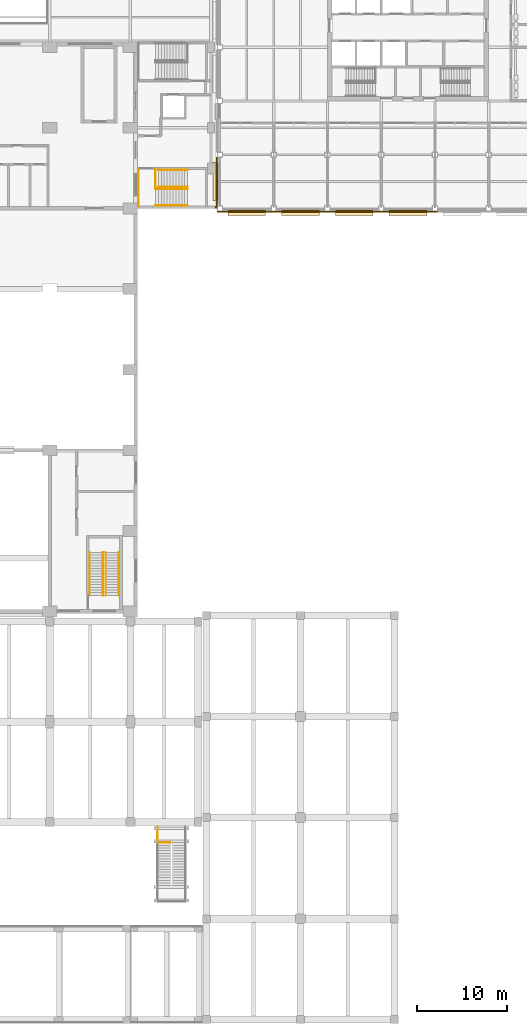
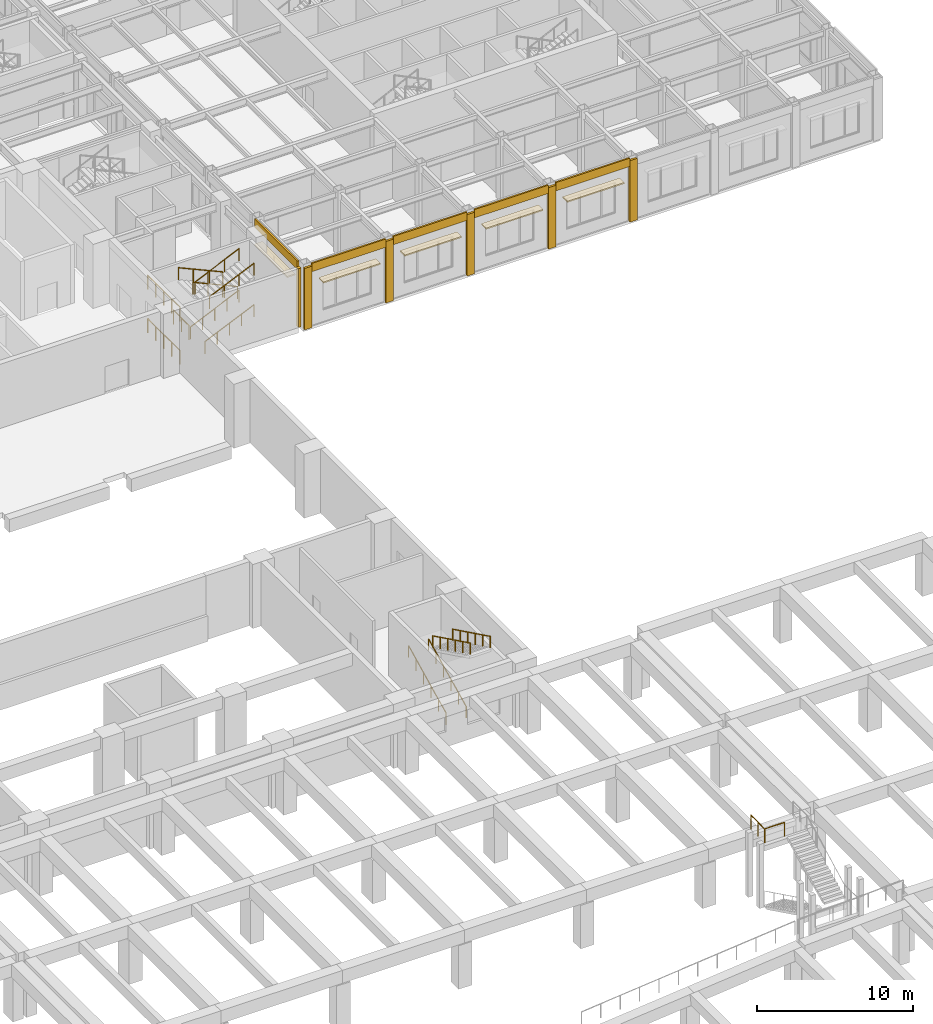
# One storey, part 71 of 76: 16 coverings, 14 railings.
"""IFC4 building model written with IfcOpenShell, lengths in metres."""

from ifc_helpers import new_model, si_unit, direction, frame, origin, origin_2d, place, context, subcontext, project, spatial, polyline, circle, outline, extrude, material, layer, layer_set, type_object, element, save


model = new_model("IFC4")

# Units and contexts
model_context = context("Model", 3, precision=1e-05, world=origin(), true_north=direction((0.0, 1.0)))
body_context = subcontext(model_context, "Body", "Model", "MODEL_VIEW")
ifc_project = project(units=[si_unit("LENGTHUNIT", "METRE"), si_unit("AREAUNIT", "SQUARE_METRE"), si_unit("VOLUMEUNIT", "CUBIC_METRE"), si_unit("PLANEANGLEUNIT", "RADIAN"), si_unit("MASSUNIT", "GRAM", prefix="KILO")], contexts=[model_context])

# Site, building, storey
site_placement = place(None, origin())
site = spatial("IfcSite", under=ifc_project, at=site_placement, CompositionType="ELEMENT")
building_placement = place(site_placement, origin())
building = spatial("IfcBuilding", under=site, at=building_placement, Name="Aravalli Gate Trade Fair Centre", CompositionType="ELEMENT")
storey_placement = place(building_placement, frame((0.0, 0.0, 10.0)))
storey = spatial("IfcBuildingStorey", under=building, at=storey_placement, Name="L02", CompositionType="ELEMENT", Elevation=10.0)

# Railings
ifc_material_1 = material(Name="Steel E350", Category="steel")
railing_type_1 = type_object("IfcRailingType", Name="Congress stair handrail 900", PredefinedType="HANDRAIL", material=ifc_material_1)
for number, where, name in (
    (1, (145.469970703125, 47.800048828125, 0.147216796875), "Handrail GS2 L02 1"),
    (2, (146.949951171875, 47.800048828125, 0.147216796875), "Handrail GS2 L02 2"),
):
    element("IfcRailing", number, at=place(storey_placement, frame(where)), inside=storey, type_object=railing_type_1, Name=name, PredefinedType="HANDRAIL", context=body_context, shape_type="SweptSolid", body=[
        extrude(circle(Radius=0.02392578125, at=origin_2d()), frame((0.0, 0.0, 0.8759765625), z_axis=(0.0, 0.89793417156, 0.440129780343), x_axis=(-1.0, 0.0, 0.0)), (0.0, 0.0, 1.0), 5.345703125),
        extrude(circle(Radius=0.02099609375, at=origin_2d()), origin(), (0.0, 0.0, 1.0), 0.851806640625),
        extrude(circle(Radius=0.02099609375, at=origin_2d()), frame((0.0, 0.9599609375, 0.470458984375)), (0.0, 0.0, 1.0), 0.851806640625),
        extrude(circle(Radius=0.02099609375, at=origin_2d()), frame((0.0, 1.919921875, 0.941162109375)), (0.0, 0.0, 1.0), 0.851806640625),
        extrude(circle(Radius=0.02099609375, at=origin_2d()), frame((0.0, 2.880126953125, 1.41162109375)), (0.0, 0.0, 1.0), 0.851806640625),
        extrude(circle(Radius=0.02099609375, at=origin_2d()), frame((0.0, 3.840087890625, 1.88232421875)), (0.0, 0.0, 1.0), 0.851806640625),
        extrude(circle(Radius=0.02099609375, at=origin_2d()), frame((0.0, 4.800048828125, 2.352783203125)), (0.0, 0.0, 1.0), 0.851806640625),
    ])
for number, where, name in (
    (3, (148.72998046875, 52.60009765625, 2.647216796875), "Handrail GS2 L02 3"),
    (4, (147.25, 52.60009765625, 2.647216796875), "Handrail GS2 L02 4"),
):
    element("IfcRailing", number, at=place(storey_placement, frame(where)), inside=storey, type_object=railing_type_1, Name=name, PredefinedType="HANDRAIL", context=body_context, shape_type="SweptSolid", body=[
        extrude(circle(Radius=0.02392578125, at=origin_2d()), frame((0.0, 0.0, 0.8759765625), z_axis=(0.0, -0.89793417156, 0.440129780343), x_axis=(1.0, 0.0, 0.0)), (0.0, 0.0, 1.0), 5.345703125),
        extrude(circle(Radius=0.02099609375, at=origin_2d()), origin(), (0.0, 0.0, 1.0), 0.851806640625),
        extrude(circle(Radius=0.02099609375, at=origin_2d()), frame((0.0, -0.9599609375, 0.470458984375)), (0.0, 0.0, 1.0), 0.851806640625),
        extrude(circle(Radius=0.02099609375, at=origin_2d()), frame((0.0, -1.919921875, 0.941162109375)), (0.0, 0.0, 1.0), 0.851806640625),
        extrude(circle(Radius=0.02099609375, at=origin_2d()), frame((0.0, -2.880126953125, 1.41162109375)), (0.0, 0.0, 1.0), 0.851806640625),
        extrude(circle(Radius=0.02099609375, at=origin_2d()), frame((0.0, -3.840087890625, 1.88232421875)), (0.0, 0.0, 1.0), 0.851806640625),
        extrude(circle(Radius=0.02099609375, at=origin_2d()), frame((0.0, -4.800048828125, 2.352783203125)), (0.0, 0.0, 1.0), 0.851806640625),
    ])
railing_type_2 = type_object("IfcRailingType", Name="Edge guard 1100", PredefinedType="GUARDRAIL", material=ifc_material_1)
railing_1_placement = place(storey_placement, frame((154.5, 20.199951171875, 5.0)))
element("IfcRailing", 5, at=railing_1_placement, inside=storey, type_object=railing_type_2, Name="Stair guard 2 L02 B", PredefinedType="GUARDRAIL", context=body_context, shape_type="SweptSolid", body=[
    extrude(circle(Radius=0.02392578125, at=origin_2d()), frame((0.0, 0.0, 1.076171875), z_axis=(-1.0, 0.0, 0.0), x_axis=(0.0, -1.0, 0.0)), (0.0, 0.0, 1.0), 1.449951171875),
    extrude(circle(Radius=0.02392578125, at=origin_2d()), frame((-1.449951171875, 0.0, 1.076171875), z_axis=(0.0, 1.0, 0.0), x_axis=(-1.0, 0.0, 0.0)), (0.0, 0.0, 1.0), 1.75),
    extrude(circle(Radius=0.02099609375, at=origin_2d()), origin(), (0.0, 0.0, 1.0), 1.052001953125),
    extrude(circle(Radius=0.02099609375, at=origin_2d()), frame((-1.449951171875, 0.0, 0.0)), (0.0, 0.0, 1.0), 1.052001953125),
    extrude(circle(Radius=0.02099609375, at=origin_2d()), frame((-1.449951171875, 0.875, 0.0)), (0.0, 0.0, 1.0), 1.052001953125),
    extrude(circle(Radius=0.02099609375, at=origin_2d()), frame((-1.449951171875, 1.75, 0.0)), (0.0, 0.0, 1.0), 1.052001953125),
])

# Coverings
ifc_material_2 = material(Name="Stainless steel joint cover", Category="steel")
ifc_layer_1 = layer(ifc_material_2, 0.199951171875)
ifc_layer_set_1 = layer_set([ifc_layer_1], Name="Stainless steel joint cover")
covering_type_1 = type_object("IfcCoveringType", Name="Link seismic joint cover 200", PredefinedType="CLADDING", material=ifc_layer_set_1)
covering_1_placement = place(storey_placement, origin())
element("IfcCovering", 6, at=covering_1_placement, inside=storey, type_object=covering_type_1, Name="Seismic joint cover L02", PredefinedType="CLADDING", context=body_context, shape_type="SweptSolid", body=[
    extrude(outline(polyline([(159.5, 91.0), (159.699951171875, 91.0), (159.699951171875, 91.25), (159.5, 91.25), (159.5, 91.0)])), origin(), (0.0, 0.0, 1.0), 4.590087890625),
])
ifc_material_3 = material(Name="Terracotta", Category="masonry")
ifc_layer_2 = layer(ifc_material_3, 0.10009765625)
ifc_layer_set_2 = layer_set([ifc_layer_2], Name="Terracotta")
covering_type_2 = type_object("IfcCoveringType", Name="Wing chhajja hood 100", PredefinedType="MOLDING", material=ifc_layer_set_2)
covering_2_placement = place(storey_placement, frame((0.0, 0.0, 3.449951171875)))
element("IfcCovering", 7, at=covering_2_placement, inside=storey, type_object=covering_type_2, Name="Chhajja hood S0 L02", PredefinedType="MOLDING", context=body_context, shape_type="SweptSolid", body=[
    extrude(outline(polyline([(160.89990234375, 90.199951171875), (165.10009765625, 90.199951171875), (165.10009765625, 90.800048828125), (160.89990234375, 90.800048828125), (160.89990234375, 90.199951171875)])), origin(), (0.0, 0.0, 1.0), 0.10009765625),
])
covering_3_placement = place(storey_placement, frame((0.0, 0.0, 3.449951171875)))
element("IfcCovering", 8, at=covering_3_placement, inside=storey, type_object=covering_type_2, Name="Chhajja hood S1 L02", PredefinedType="MOLDING", context=body_context, shape_type="SweptSolid", body=[
    extrude(outline(polyline([(166.89990234375, 90.199951171875), (171.10009765625, 90.199951171875), (171.10009765625, 90.800048828125), (166.89990234375, 90.800048828125), (166.89990234375, 90.199951171875)])), origin(), (0.0, 0.0, 1.0), 0.10009765625),
])
covering_4_placement = place(storey_placement, frame((0.0, 0.0, 3.449951171875)))
element("IfcCovering", 9, at=covering_4_placement, inside=storey, type_object=covering_type_2, Name="Chhajja hood S2 L02", PredefinedType="MOLDING", context=body_context, shape_type="SweptSolid", body=[
    extrude(outline(polyline([(172.89990234375, 90.199951171875), (177.10009765625, 90.199951171875), (177.10009765625, 90.800048828125), (172.89990234375, 90.800048828125), (172.89990234375, 90.199951171875)])), origin(), (0.0, 0.0, 1.0), 0.10009765625),
])
covering_5_placement = place(storey_placement, frame((0.0, 0.0, 3.449951171875)))
element("IfcCovering", 10, at=covering_5_placement, inside=storey, type_object=covering_type_2, Name="Chhajja hood S3 L02", PredefinedType="MOLDING", context=body_context, shape_type="SweptSolid", body=[
    extrude(outline(polyline([(178.89990234375, 90.199951171875), (183.10009765625, 90.199951171875), (183.10009765625, 90.800048828125), (178.89990234375, 90.800048828125), (178.89990234375, 90.199951171875)])), origin(), (0.0, 0.0, 1.0), 0.10009765625),
])
covering_6_placement = place(storey_placement, frame((0.0, 0.0, 3.449951171875)))
element("IfcCovering", 11, at=covering_6_placement, inside=storey, type_object=covering_type_2, Name="Chhajja hood W0 L02", PredefinedType="MOLDING", context=body_context, shape_type="SweptSolid", body=[
    extrude(outline(polyline([(159.199951171875, 91.89990234375), (159.800048828125, 91.89990234375), (159.800048828125, 96.10009765625), (159.199951171875, 96.10009765625), (159.199951171875, 91.89990234375)])), origin(), (0.0, 0.0, 1.0), 0.10009765625),
])
ifc_material_4 = material(Name="Terracotta lattice", Category="masonry")
ifc_layer_3 = layer(ifc_material_4, 0.1201171875)
ifc_layer_set_3 = layer_set([ifc_layer_3], Name="Terracotta lattice")
covering_type_3 = type_object("IfcCoveringType", Name="Wing jali spandrel panel 120", PredefinedType="CLADDING", material=ifc_layer_set_3)
covering_7_placement = place(storey_placement, frame((0.0, 0.0, 4.35009765625)))
element("IfcCovering", 12, at=covering_7_placement, inside=storey, type_object=covering_type_3, Name="Jali spandrel panel S0 L02", PredefinedType="CLADDING", context=body_context, shape_type="SweptSolid", body=[
    extrude(outline(polyline([(160.27490234375, 90.574951171875), (165.72509765625, 90.574951171875), (165.72509765625, 90.695068359375), (160.27490234375, 90.695068359375), (160.27490234375, 90.574951171875)])), origin(), (0.0, 0.0, 1.0), 0.64990234375),
])
covering_8_placement = place(storey_placement, frame((0.0, 0.0, 4.35009765625)))
element("IfcCovering", 13, at=covering_8_placement, inside=storey, type_object=covering_type_3, Name="Jali spandrel panel S1 L02", PredefinedType="CLADDING", context=body_context, shape_type="SweptSolid", body=[
    extrude(outline(polyline([(166.27490234375, 90.574951171875), (171.72509765625, 90.574951171875), (171.72509765625, 90.695068359375), (166.27490234375, 90.695068359375), (166.27490234375, 90.574951171875)])), origin(), (0.0, 0.0, 1.0), 0.64990234375),
])
covering_9_placement = place(storey_placement, frame((0.0, 0.0, 4.35009765625)))
element("IfcCovering", 14, at=covering_9_placement, inside=storey, type_object=covering_type_3, Name="Jali spandrel panel S2 L02", PredefinedType="CLADDING", context=body_context, shape_type="SweptSolid", body=[
    extrude(outline(polyline([(172.27490234375, 90.574951171875), (177.72509765625, 90.574951171875), (177.72509765625, 90.695068359375), (172.27490234375, 90.695068359375), (172.27490234375, 90.574951171875)])), origin(), (0.0, 0.0, 1.0), 0.64990234375),
])
covering_10_placement = place(storey_placement, frame((0.0, 0.0, 4.35009765625)))
element("IfcCovering", 15, at=covering_10_placement, inside=storey, type_object=covering_type_3, Name="Jali spandrel panel S3 L02", PredefinedType="CLADDING", context=body_context, shape_type="SweptSolid", body=[
    extrude(outline(polyline([(178.27490234375, 90.574951171875), (183.72509765625, 90.574951171875), (183.72509765625, 90.695068359375), (178.27490234375, 90.695068359375), (178.27490234375, 90.574951171875)])), origin(), (0.0, 0.0, 1.0), 0.64990234375),
])
ifc_material_5 = material(Name="Glazed terracotta", Category="masonry")
ifc_layer_4 = layer(ifc_material_5, 0.14990234375)
ifc_layer_set_4 = layer_set([ifc_layer_4], Name="Glazed terracotta")
covering_type_4 = type_object("IfcCoveringType", Name="Wing pier casing 150", PredefinedType="CLADDING", material=ifc_layer_set_4)
covering_11_placement = place(storey_placement, origin())
element("IfcCovering", 16, at=covering_11_placement, inside=storey, type_object=covering_type_4, Name="Pier casing 18F S L02", PredefinedType="CLADDING", context=body_context, shape_type="SweptSolid", body=[
    extrude(outline(polyline([(159.72509765625, 90.574951171875), (160.27490234375, 90.574951171875), (160.27490234375, 90.72509765625), (159.72509765625, 90.72509765625), (159.72509765625, 90.574951171875)])), origin(), (0.0, 0.0, 1.0), 4.800048828125),
])
covering_12_placement = place(storey_placement, origin())
element("IfcCovering", 17, at=covering_12_placement, inside=storey, type_object=covering_type_4, Name="Pier casing 19F S L02", PredefinedType="CLADDING", context=body_context, shape_type="SweptSolid", body=[
    extrude(outline(polyline([(165.72509765625, 90.574951171875), (166.27490234375, 90.574951171875), (166.27490234375, 90.72509765625), (165.72509765625, 90.72509765625), (165.72509765625, 90.574951171875)])), origin(), (0.0, 0.0, 1.0), 4.800048828125),
])
covering_13_placement = place(storey_placement, origin())
element("IfcCovering", 18, at=covering_13_placement, inside=storey, type_object=covering_type_4, Name="Pier casing 20F S L02", PredefinedType="CLADDING", context=body_context, shape_type="SweptSolid", body=[
    extrude(outline(polyline([(171.72509765625, 90.574951171875), (172.27490234375, 90.574951171875), (172.27490234375, 90.72509765625), (171.72509765625, 90.72509765625), (171.72509765625, 90.574951171875)])), origin(), (0.0, 0.0, 1.0), 4.800048828125),
])
covering_14_placement = place(storey_placement, origin())
element("IfcCovering", 19, at=covering_14_placement, inside=storey, type_object=covering_type_4, Name="Pier casing 21F S L02", PredefinedType="CLADDING", context=body_context, shape_type="SweptSolid", body=[
    extrude(outline(polyline([(177.72509765625, 90.574951171875), (178.27490234375, 90.574951171875), (178.27490234375, 90.72509765625), (177.72509765625, 90.72509765625), (177.72509765625, 90.574951171875)])), origin(), (0.0, 0.0, 1.0), 4.800048828125),
])
covering_15_placement = place(storey_placement, origin())
element("IfcCovering", 20, at=covering_15_placement, inside=storey, type_object=covering_type_4, Name="Pier casing 22F S L02", PredefinedType="CLADDING", context=body_context, shape_type="SweptSolid", body=[
    extrude(outline(polyline([(183.72509765625, 90.574951171875), (184.27490234375, 90.574951171875), (184.27490234375, 90.72509765625), (183.72509765625, 90.72509765625), (183.72509765625, 90.574951171875)])), origin(), (0.0, 0.0, 1.0), 4.800048828125),
])
ifc_layer_5 = layer(ifc_material_5, 0.1201171875)
ifc_layer_set_5 = layer_set([ifc_layer_5], Name="Glazed terracotta")
covering_type_5 = type_object("IfcCoveringType", Name="Wing spandrel band 120", PredefinedType="CLADDING", material=ifc_layer_set_5)
covering_16_placement = place(storey_placement, frame((0.0, 0.0, 4.35009765625)))
element("IfcCovering", 21, at=covering_16_placement, inside=storey, type_object=covering_type_5, Name="Spandrel band W0 L02", PredefinedType="CLADDING", context=body_context, shape_type="SweptSolid", body=[
    extrude(outline(polyline([(159.574951171875, 91.27490234375), (159.695068359375, 91.27490234375), (159.695068359375, 96.72509765625), (159.574951171875, 96.72509765625), (159.574951171875, 91.27490234375)])), origin(), (0.0, 0.0, 1.0), 0.64990234375),
])

# Railings
railing_type_3 = type_object("IfcRailingType", Name="Wing stair handrail", PredefinedType="HANDRAIL", material=ifc_material_1)
for number, where, name in (
    (22, (152.800048828125, 91.31005859375, 0.14697265625), "Handrail LA L02 1a"),
    (23, (152.800048828125, 93.18994140625, 0.14697265625), "Handrail LA L02 1b"),
):
    element("IfcRailing", number, at=place(storey_placement, frame(where)), inside=storey, type_object=railing_type_3, Name=name, PredefinedType="HANDRAIL", context=body_context, shape_type="SweptSolid", body=[
        extrude(circle(Radius=0.02392578125, at=origin_2d()), frame((0.0, 0.0, 0.92578125), z_axis=(0.91201066968, 0.0, 0.410166476434), x_axis=(0.0, 1.0, 0.0)), (0.0, 0.0, 1.0), 3.94384765625),
        extrude(circle(Radius=0.02099609375, at=origin_2d()), origin(), (0.0, 0.0, 1.0), 0.90185546875),
        extrude(circle(Radius=0.02099609375, at=origin_2d()), frame((0.899169921875, 0.0, 0.404296875)), (0.0, 0.0, 1.0), 0.90185546875),
        extrude(circle(Radius=0.02099609375, at=origin_2d()), frame((1.79833984375, 0.0, 0.808837890625)), (0.0, 0.0, 1.0), 0.90185546875),
        extrude(circle(Radius=0.02099609375, at=origin_2d()), frame((2.69775390625, 0.0, 1.21337890625)), (0.0, 0.0, 1.0), 0.90185546875),
        extrude(circle(Radius=0.02099609375, at=origin_2d()), frame((3.596923828125, 0.0, 1.61767578125)), (0.0, 0.0, 1.0), 0.90185546875),
    ])
for number, where, name in (
    (24, (156.39697265625, 93.409912109375, 1.911865234375), "Handrail LA L02 2a"),
    (25, (156.39697265625, 95.2900390625, 1.911865234375), "Handrail LA L02 2b"),
):
    element("IfcRailing", number, at=place(storey_placement, frame(where)), inside=storey, type_object=railing_type_3, Name=name, PredefinedType="HANDRAIL", context=body_context, shape_type="SweptSolid", body=[
        extrude(circle(Radius=0.02392578125, at=origin_2d()), frame((0.0, 0.0, 0.92578125), z_axis=(-0.912031043563, 0.0, 0.410121171822), x_axis=(0.0, -1.0, 0.0)), (0.0, 0.0, 1.0), 3.58544921875),
        extrude(circle(Radius=0.02099609375, at=origin_2d()), origin(), (0.0, 0.0, 1.0), 0.90185546875),
        extrude(circle(Radius=0.02099609375, at=origin_2d()), frame((-1.090087890625, 0.0, 0.490234375)), (0.0, 0.0, 1.0), 0.90185546875),
        extrude(circle(Radius=0.02099609375, at=origin_2d()), frame((-2.179931640625, 0.0, 0.980224609375)), (0.0, 0.0, 1.0), 0.90185546875),
        extrude(circle(Radius=0.02099609375, at=origin_2d()), frame((-3.27001953125, 0.0, 1.470458984375)), (0.0, 0.0, 1.0), 0.90185546875),
    ])
for number, where, name in (
    (26, (153.126953125, 91.31005859375, 3.529296875), "Handrail LA L02 3a"),
    (27, (153.126953125, 93.18994140625, 3.529296875), "Handrail LA L02 3b"),
):
    element("IfcRailing", number, at=place(storey_placement, frame(where)), inside=storey, type_object=railing_type_3, Name=name, PredefinedType="HANDRAIL", context=body_context, shape_type="SweptSolid", body=[
        extrude(circle(Radius=0.02392578125, at=origin_2d()), frame((0.0, 0.0, 0.92578125), z_axis=(0.912005572974, 0.0, 0.410177808839), x_axis=(0.0, 1.0, 0.0)), (0.0, 0.0, 1.0), 3.58544921875),
        extrude(circle(Radius=0.02099609375, at=origin_2d()), origin(), (0.0, 0.0, 1.0), 0.90185546875),
        extrude(circle(Radius=0.02099609375, at=origin_2d()), frame((1.090087890625, 0.0, 0.490234375)), (0.0, 0.0, 1.0), 0.90185546875),
        extrude(circle(Radius=0.02099609375, at=origin_2d()), frame((2.179931640625, 0.0, 0.98046875)), (0.0, 0.0, 1.0), 0.90185546875),
        extrude(circle(Radius=0.02099609375, at=origin_2d()), frame((3.27001953125, 0.0, 1.470703125)), (0.0, 0.0, 1.0), 0.90185546875),
    ])
railing_type_4 = type_object("IfcRailingType", Name="Wing stair roof guard", PredefinedType="GUARDRAIL", material=ifc_material_1)
railing_2_placement = place(storey_placement, frame((152.800048828125, 93.35009765625, 0.0)))
element("IfcRailing", 28, at=railing_2_placement, inside=storey, type_object=railing_type_4, Name="Guard LA landing L02", PredefinedType="GUARDRAIL", context=body_context, shape_type="SweptSolid", body=[
    extrude(circle(Radius=0.02392578125, at=origin_2d()), frame((0.0, 0.0, 1.076171875), z_axis=(0.0, 1.0, 0.0), x_axis=(-1.0, 0.0, 0.0)), (0.0, 0.0, 1.0), 2.0),
    extrude(circle(Radius=0.02099609375, at=origin_2d()), origin(), (0.0, 0.0, 1.0), 1.052001953125),
    extrude(circle(Radius=0.02099609375, at=origin_2d()), frame((0.0, 1.0, 0.0)), (0.0, 0.0, 1.0), 1.052001953125),
    extrude(circle(Radius=0.02099609375, at=origin_2d()), frame((0.0, 2.0, 0.0)), (0.0, 0.0, 1.0), 1.052001953125),
])
for number, where, name in (
    (29, (150.89990234375, 91.25, 0.0), "Guard LA landing L02 west edge 1"),
    (30, (150.89990234375, 91.25, 3.38232421875), "Guard LA landing L02 west edge 3"),
):
    element("IfcRailing", number, at=place(storey_placement, frame(where)), inside=storey, type_object=railing_type_4, Name=name, PredefinedType="GUARDRAIL", context=body_context, shape_type="SweptSolid", body=[
        extrude(circle(Radius=0.02392578125, at=origin_2d()), frame((0.0, 0.0, 1.076171875), z_axis=(0.0, 1.0, 0.0), x_axis=(-1.0, 0.0, 0.0)), (0.0, 0.0, 1.0), 4.10009765625),
        extrude(circle(Radius=0.02099609375, at=origin_2d()), origin(), (0.0, 0.0, 1.0), 1.052001953125),
        extrude(circle(Radius=0.02099609375, at=origin_2d()), frame((0.0, 1.02490234375, 0.0)), (0.0, 0.0, 1.0), 1.052001953125),
        extrude(circle(Radius=0.02099609375, at=origin_2d()), frame((0.0, 2.050048828125, 0.0)), (0.0, 0.0, 1.0), 1.052001953125),
        extrude(circle(Radius=0.02099609375, at=origin_2d()), frame((0.0, 3.0751953125, 0.0)), (0.0, 0.0, 1.0), 1.052001953125),
        extrude(circle(Radius=0.02099609375, at=origin_2d()), frame((0.0, 4.10009765625, 0.0)), (0.0, 0.0, 1.0), 1.052001953125),
    ])

save(model, "model.ifc")
